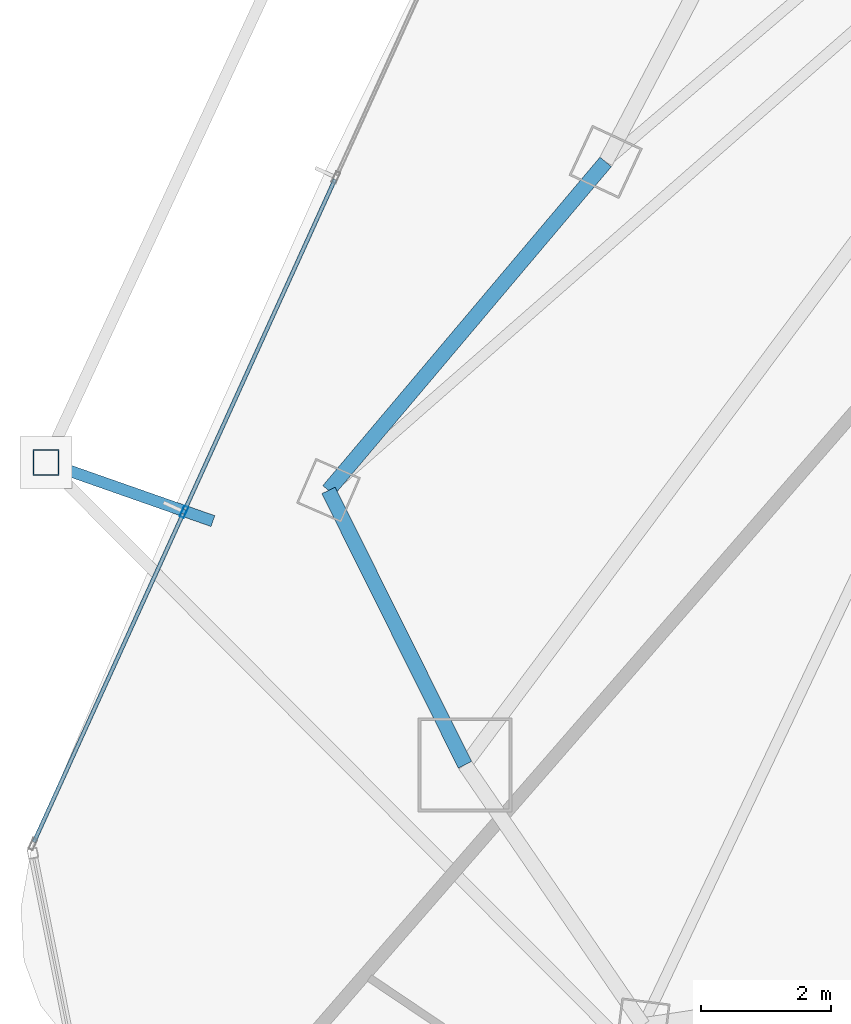
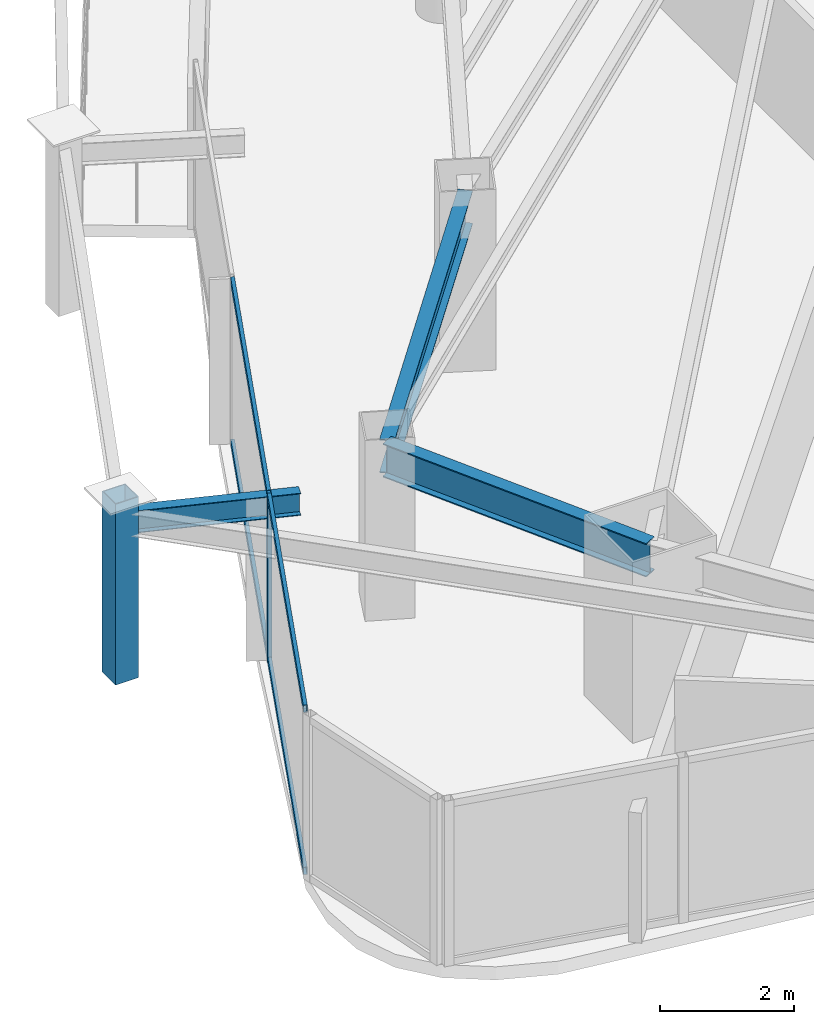
# One storey, part 5 of 30: 6 members, 3 beams, 1 element without a shape of its own.
"""IFC4 building model written with IfcOpenShell, lengths in metres."""

from ifc_helpers import new_model, si_unit, direction, frame, origin, origin_2d, place, context, subcontext, project, spatial, hollow_rectangle, i_section, extrude, material, layer, layer_set, material_profile, profile_set, type_object, element, aggregate, save


model = new_model("IFC4")

# Units and contexts
model_context = context("Model", 3, precision=1e-05, world=origin(), true_north=direction((0.0, 1.0)))
body_context = subcontext(model_context, "Body", "Model", "MODEL_VIEW")
ifc_project = project(units=[si_unit("LENGTHUNIT", "METRE"), si_unit("AREAUNIT", "SQUARE_METRE"), si_unit("VOLUMEUNIT", "CUBIC_METRE"), si_unit("PLANEANGLEUNIT", "RADIAN"), si_unit("MASSUNIT", "GRAM", prefix="KILO")], contexts=[model_context])

# Site, building, storey
site_placement = place(None, origin())
site = spatial("IfcSite", under=ifc_project, at=site_placement, CompositionType="ELEMENT")
building_placement = place(site_placement, origin())
building = spatial("IfcBuilding", under=site, at=building_placement, Name="Orvanel Arch Residences", CompositionType="ELEMENT")
storey_placement = place(building_placement, frame((0.0, 0.0, 143.0)))
storey = spatial("IfcBuildingStorey", under=building, at=storey_placement, Name="L40", CompositionType="ELEMENT", Elevation=143.0)

# Curtain wall, member
ifc_material_1 = material(Name="Bronze-anodised aluminium AA6063-T6", Category="aluminium")
ifc_layer = layer(ifc_material_1, 0.179931640625)
ifc_layer_set = layer_set([ifc_layer], Name="Bronze-anodised aluminium AA6063-T6")
curtain_wall_type = type_object("IfcCurtainWallType", Name="CW3-MID-SYS", PredefinedType="NOTDEFINED", material=ifc_layer_set)
curtain_wall_placement = place(storey_placement, origin())
curtain_wall = element("IfcCurtainWall", 1, at=curtain_wall_placement, inside=storey, type_object=curtain_wall_type, Name="L40 CW3-MID-SYS Unitised Curtain Wall", PredefinedType="NOTDEFINED")
ifc_material_profile_1 = material_profile(ifc_material_1, hollow_rectangle(XDim=0.070068359375, YDim=0.179931640625, WallThickness=0.00439453125, at=origin_2d()), Name="ALU180x70x4.5")
ifc_profile_set_1 = profile_set([ifc_material_profile_1], Name="Bronze-anodised aluminium AA6063-T6")
member_type_1 = type_object("IfcMemberType", Name="MUL-180x70", PredefinedType="MULLION", material=ifc_profile_set_1)
member_1_placement = place(storey_placement, frame((9.868408203125, 14.250732421875, 0.0), z_axis=(0.0, 0.0, 1.0), x_axis=(0.910449142842, -0.413621032225, 0.0)))
member_1 = element("IfcMember", 2, at=member_1_placement, type_object=member_type_1, Name="CW-S3 mullion 3", PredefinedType="MULLION", context=body_context, shape_type="SweptSolid", body=[
    extrude(hollow_rectangle(XDim=0.070068359375, YDim=0.179931640625, WallThickness=0.00439453125, at=origin_2d()), origin(), (0.0, 0.0, 1.0), 3.02001953125),
])

# Beams
ifc_material_2 = material(Name="Structural steel AS/NZS 3679.1 Grade 300 (300 MPa)", Category="steel")
ifc_material_profile_2 = material_profile(ifc_material_2, i_section(OverallWidth=0.177978515625, OverallDepth=0.406005859375, WebThickness=0.0078125, FlangeThickness=0.0126953125, at=origin_2d()), Name="410UB59.7")
ifc_profile_set_2 = profile_set([ifc_material_profile_2], Name="Structural steel AS/NZS 3679.1 Grade 300 (300 MPa)")
beam_type_1 = type_object("IfcBeamType", Name="OB-410UB-EXT", PredefinedType="SPANDREL", material=ifc_profile_set_2)
beam_1_placement = place(storey_placement, frame((10.31396484375, 14.10693359375, 2.81689453125), z_axis=(-0.943680931687, 0.330856916461, 0.0), x_axis=(-0.330856916461, -0.943680931687, 0.0)))
element("IfcBeam", 3, at=beam_1_placement, inside=storey, type_object=beam_type_1, Name="L40 Outer Frame Radial Tie Beam 04", PredefinedType="SPANDREL", context=body_context, shape_type="SweptSolid", body=[
    extrude(i_section(OverallWidth=0.177978515625, OverallDepth=0.406005859375, WebThickness=0.0078125, FlangeThickness=0.0126953125, at=origin_2d()), origin(), (0.0, 0.0, 1.0), 2.7265625),
])
ifc_material_profile_3 = material_profile(ifc_material_2, i_section(OverallWidth=0.22900390625, OverallDepth=0.612060546875, WebThickness=0.011962890625, FlangeThickness=0.01953125, at=origin_2d()), Name="610UB125")
ifc_profile_set_3 = profile_set([ifc_material_profile_3], Name="Structural steel AS/NZS 3679.1 Grade 300 (300 MPa)")
beam_type_2 = type_object("IfcBeamType", Name="SP-610UB", PredefinedType="SPANDREL", material=ifc_profile_set_3)
beam_2_placement = place(storey_placement, frame((16.366943359375, 19.64208984375, 2.714111328125), z_axis=(-0.644950329775, -0.764224490659, 0.0), x_axis=(0.764224490659, -0.644950329775, 0.0)))
element("IfcBeam", 4, at=beam_2_placement, inside=storey, type_object=beam_type_2, Name="L40 Perimeter Spandrel Beam 01", PredefinedType="SPANDREL", context=body_context, shape_type="SweptSolid", body=[
    extrude(i_section(OverallWidth=0.22900390625, OverallDepth=0.612060546875, WebThickness=0.011962890625, FlangeThickness=0.01953125, at=origin_2d()), origin(), (0.0, 0.0, 1.0), 6.623779296875),
])
beam_3_placement = place(storey_placement, frame((12.094970703125, 14.580078125, 2.714111328125), z_axis=(0.44543469453, -0.895314432425, 0.0), x_axis=(0.895314432425, 0.44543469453, 0.0)))
element("IfcBeam", 5, at=beam_3_placement, inside=storey, type_object=beam_type_2, Name="L40 Perimeter Spandrel Beam 02", PredefinedType="SPANDREL", context=body_context, shape_type="SweptSolid", body=[
    extrude(i_section(OverallWidth=0.22900390625, OverallDepth=0.612060546875, WebThickness=0.011962890625, FlangeThickness=0.01953125, at=origin_2d()), origin(), (0.0, 0.0, 1.0), 4.723388671875),
])

# Member
ifc_material_3 = material(Name="Structural steel AS/NZS 1163 C450L0 (Grade 450)", Category="steel")
ifc_material_profile_4 = material_profile(ifc_material_3, hollow_rectangle(XDim=0.39990234375, YDim=0.39990234375, WallThickness=0.01611328125, at=origin_2d()), Name="SHS400x400x16")
ifc_profile_set_4 = profile_set([ifc_material_profile_4], Name="Structural steel AS/NZS 1163 C450L0 (Grade 450)")
member_type_2 = type_object("IfcMemberType", Name="ST-400SHS-EXT", PredefinedType="STRUT", material=ifc_profile_set_4)
member_2_placement = place(storey_placement, frame((7.740966796875, 15.009033203125, 0.0), z_axis=(0.0, 0.0, 1.0), x_axis=(1.0, 0.0, 0.0)))
element("IfcMember", 6, at=member_2_placement, inside=storey, type_object=member_type_2, Name="L40 Outer Perimeter Frame Post 04", PredefinedType="STRUT", context=body_context, shape_type="SweptSolid", body=[
    extrude(hollow_rectangle(XDim=0.39990234375, YDim=0.39990234375, WallThickness=0.01611328125, at=origin_2d()), origin(), (0.0, 0.0, 1.0), 3.300048828125),
])

ifc_material_profile_5 = material_profile(ifc_material_1, hollow_rectangle(XDim=0.06005859375, YDim=0.135009765625, WallThickness=0.00390625, at=origin_2d()), Name="ALU135x60x4")
ifc_profile_set_5 = profile_set([ifc_material_profile_5], Name="Bronze-anodised aluminium AA6063-T6")
member_type_3 = type_object("IfcMemberType", Name="TRN-135x60", PredefinedType="USERDEFINED", material=ifc_profile_set_5)
member_3_placement = place(storey_placement, frame((12.195068359375, 19.37255859375, 0.030029296875), z_axis=(-0.413592363241, -0.910462166742, 0.0), x_axis=(0.910462166742, -0.413592363241, 0.0)))
member_3 = element("IfcMember", 7, at=member_3_placement, type_object=member_type_3, Name="CW-S3 transom 2.1", ObjectType="TRANSOM", PredefinedType="USERDEFINED", context=body_context, shape_type="SweptSolid", body=[
    extrude(hollow_rectangle(XDim=0.06005859375, YDim=0.135009765625, WallThickness=0.00390625, at=origin_2d()), origin(), (0.0, 0.0, 1.0), 5.590576171875),
])

member_4_placement = place(storey_placement, frame((12.195068359375, 19.37255859375, 2.989990234375), z_axis=(-0.413592363241, -0.910462166742, 0.0), x_axis=(0.910462166742, -0.413592363241, 0.0)))
member_4 = element("IfcMember", 8, at=member_4_placement, type_object=member_type_3, Name="CW-S3 transom 2.2", ObjectType="TRANSOM", PredefinedType="USERDEFINED", context=body_context, shape_type="SweptSolid", body=[
    extrude(hollow_rectangle(XDim=0.06005859375, YDim=0.135009765625, WallThickness=0.00390625, at=origin_2d()), origin(), (0.0, 0.0, 1.0), 5.590576171875),
])

member_5_placement = place(storey_placement, frame((9.853759765625, 14.21875, 0.030029296875), z_axis=(-0.413610901204, -0.910453745341, 0.0), x_axis=(0.910453745341, -0.413610901204, 0.0)))
member_5 = element("IfcMember", 9, at=member_5_placement, type_object=member_type_3, Name="CW-S3 transom 3.1", ObjectType="TRANSOM", PredefinedType="USERDEFINED", context=body_context, shape_type="SweptSolid", body=[
    extrude(hollow_rectangle(XDim=0.06005859375, YDim=0.135009765625, WallThickness=0.00390625, at=origin_2d()), origin(), (0.0, 0.0, 1.0), 5.5556640625),
])

member_6_placement = place(storey_placement, frame((9.853759765625, 14.21875, 2.989990234375), z_axis=(-0.413610901204, -0.910453745341, 0.0), x_axis=(0.910453745341, -0.413610901204, 0.0)))
member_6 = element("IfcMember", 10, at=member_6_placement, type_object=member_type_3, Name="CW-S3 transom 3.2", ObjectType="TRANSOM", PredefinedType="USERDEFINED", context=body_context, shape_type="SweptSolid", body=[
    extrude(hollow_rectangle(XDim=0.06005859375, YDim=0.135009765625, WallThickness=0.00390625, at=origin_2d()), origin(), (0.0, 0.0, 1.0), 5.5556640625),
])

aggregate(curtain_wall, [member_1, member_3, member_4, member_5, member_6])

save(model, "model.ifc")
